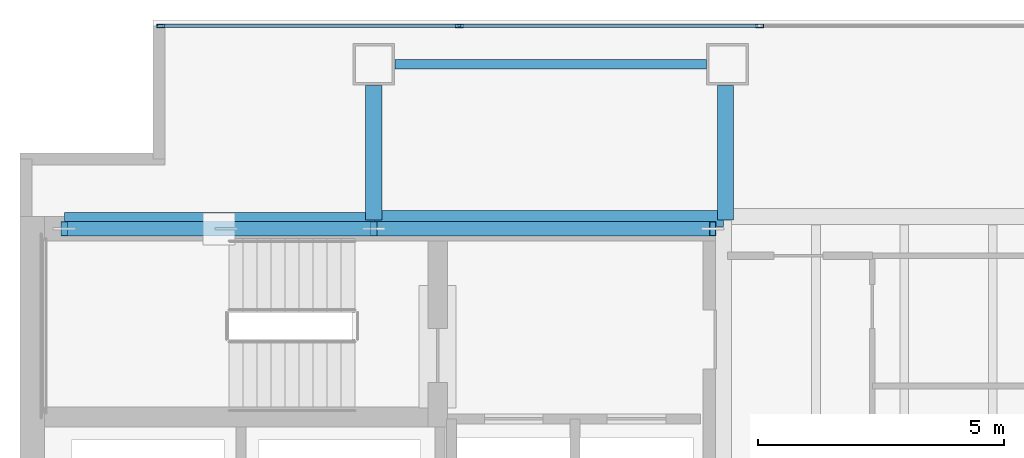
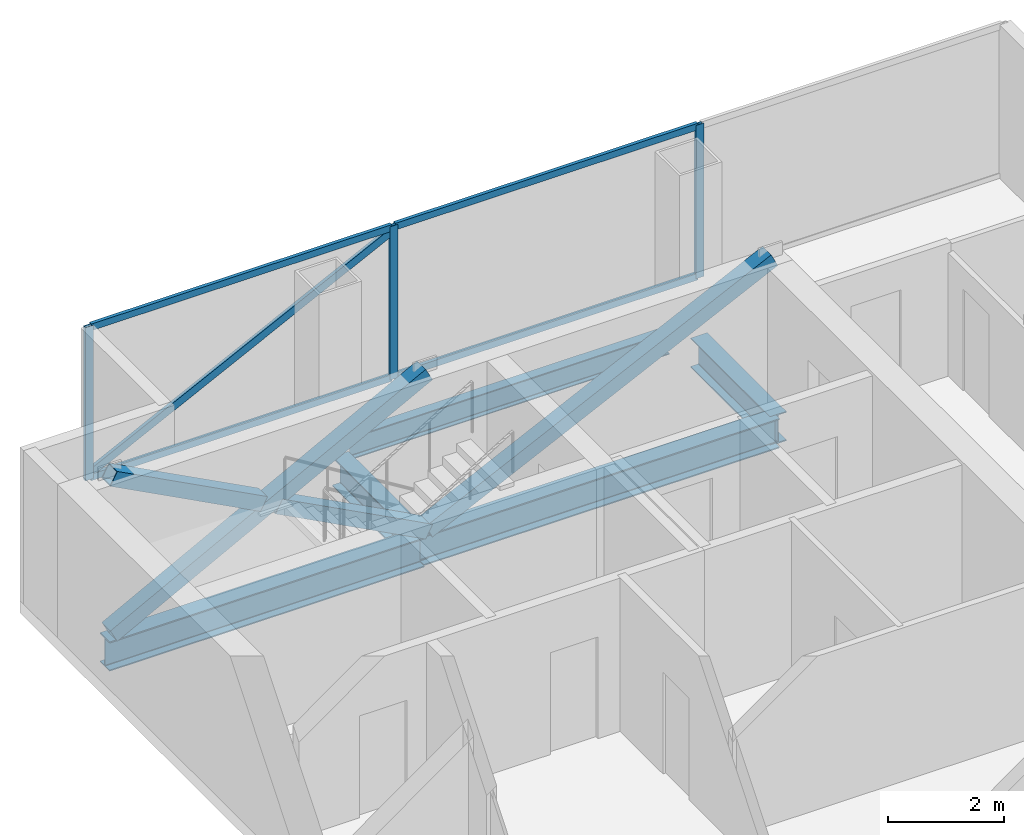
# One storey, part 17 of 23: 12 members, 5 beams, 1 element without a shape of its own.
"""IFC4 building model written with IfcOpenShell, lengths in metres."""

from ifc_helpers import new_model, si_unit, direction, frame, origin, origin_2d, place, context, subcontext, project, spatial, hollow_rectangle, i_section, extrude, material, material_profile, profile_set, type_object, element, aggregate, save


model = new_model("IFC4")

# Units and contexts
model_context = context("Model", 3, precision=1e-05, world=origin(), true_north=direction((0.0, 1.0)))
body_context = subcontext(model_context, "Body", "Model", "MODEL_VIEW")
ifc_project = project(units=[si_unit("LENGTHUNIT", "METRE"), si_unit("AREAUNIT", "SQUARE_METRE"), si_unit("VOLUMEUNIT", "CUBIC_METRE"), si_unit("PLANEANGLEUNIT", "RADIAN"), si_unit("MASSUNIT", "GRAM", prefix="KILO")], contexts=[model_context])

# Site, building, storey
site_placement = place(None, origin())
site = spatial("IfcSite", under=ifc_project, at=site_placement, CompositionType="ELEMENT")
building_placement = place(site_placement, origin())
building = spatial("IfcBuilding", under=site, at=building_placement, Name="Cobrela Telecom Tower", CompositionType="ELEMENT")
storey_placement = place(building_placement, frame((0.0, 0.0, 173.25)))
storey = spatial("IfcBuildingStorey", under=building, at=storey_placement, Name="L43", CompositionType="ELEMENT", Elevation=173.25)

# Beams
ifc_material_1 = material(Name="Steel ASTM A992 Grade 50", Category="steel")
ifc_material_profile_1 = material_profile(ifc_material_1, i_section(OverallWidth=0.327880859375, OverallDepth=0.6220703125, WebThickness=0.015380859375, FlangeThickness=0.0244140625, FilletRadius=0.014892578125, at=origin_2d()), Name="W24X131")
ifc_profile_set_1 = profile_set([ifc_material_profile_1], Name="Steel ASTM A992 Grade 50")
beam_type_1 = type_object("IfcBeamType", Name="BM-GIRD-06", PredefinedType="USERDEFINED", material=ifc_profile_set_1)
beam_1_placement = place(storey_placement, frame((0.905029296875, 35.919921875, -0.571044921875), z_axis=(1.0, 0.0, 0.0), x_axis=(0.0, 1.0, 0.0)))
element("IfcBeam", 1, at=beam_1_placement, inside=storey, type_object=beam_type_1, Name="L43 Primary Girder X20", ObjectType="GIRDER", PredefinedType="USERDEFINED", context=body_context, shape_type="SweptSolid", body=[
    extrude(i_section(OverallWidth=0.327880859375, OverallDepth=0.6220703125, WebThickness=0.015380859375, FlangeThickness=0.0244140625, FilletRadius=0.014892578125, at=origin_2d()), origin(), (0.0, 0.0, 1.0), 6.2900390625),
])
beam_2_placement = place(storey_placement, frame((7.205078125, 35.9599609375, -0.571044921875), z_axis=(1.0, 0.0, 0.0), x_axis=(0.0, 1.0, 0.0)))
element("IfcBeam", 2, at=beam_2_placement, inside=storey, type_object=beam_type_1, Name="L43 Primary Girder X21", ObjectType="GIRDER", PredefinedType="USERDEFINED", context=body_context, shape_type="SweptSolid", body=[
    extrude(i_section(OverallWidth=0.327880859375, OverallDepth=0.6220703125, WebThickness=0.015380859375, FlangeThickness=0.0244140625, FilletRadius=0.014892578125, at=origin_2d()), origin(), (0.0, 0.0, 1.0), 7.10986328125),
])
for number, where, z_axis, x_axis, name in (
    (3, (7.199951171875, 35.925048828125, -0.571044921875), (0.0, 1.0, 0.0), (-1.0, 0.0, 0.0), "L43 Primary Girder Y25"),
    (4, (14.360107421875, 35.925048828125, -0.571044921875), (0.0, 1.0, 0.0), (-1.0, 0.0, 0.0), "L43 Primary Girder Y31"),
):
    element("IfcBeam", number, at=place(storey_placement, frame(where, z_axis=z_axis, x_axis=x_axis)), inside=storey, type_object=beam_type_1, Name=name, ObjectType="GIRDER", PredefinedType="USERDEFINED", context=body_context, shape_type="SweptSolid", body=[
        extrude(i_section(OverallWidth=0.327880859375, OverallDepth=0.6220703125, WebThickness=0.015380859375, FlangeThickness=0.0244140625, FilletRadius=0.014892578125, at=origin_2d()), origin(), (0.0, 0.0, 1.0), 2.744873046875),
    ])
ifc_material_profile_2 = material_profile(ifc_material_1, i_section(OverallWidth=0.193115234375, OverallDepth=0.467041015625, WebThickness=0.011474609375, FlangeThickness=0.01904296875, FilletRadius=0.012939453125, at=origin_2d()), Name="W18X65")
ifc_profile_set_2 = profile_set([ifc_material_profile_2], Name="Steel ASTM A992 Grade 50")
beam_type_2 = type_object("IfcBeamType", Name="BM-SPAND-05", PredefinedType="SPANDREL", material=ifc_profile_set_2)
beam_3_placement = place(storey_placement, frame((7.6298828125, 39.10009765625, -0.493408203125), z_axis=(1.0, 0.0, 0.0), x_axis=(0.0, 1.0, 0.0)))
element("IfcBeam", 5, at=beam_3_placement, inside=storey, type_object=beam_type_2, Name="L43 Perimeter Spandrel X23", PredefinedType="SPANDREL", context=body_context, shape_type="SweptSolid", body=[
    extrude(i_section(OverallWidth=0.193115234375, OverallDepth=0.467041015625, WebThickness=0.011474609375, FlangeThickness=0.01904296875, FilletRadius=0.012939453125, at=origin_2d()), origin(), (0.0, 0.0, 1.0), 6.340087890625),
])

# Curtain wall, members
ifc_material_2 = material(Name="Anodized Bronze Aluminium 6063-T6", Category="aluminium")
curtain_wall_type = type_object("IfcCurtainWallType", Name="CW-SYS-OFF-LO", PredefinedType="USERDEFINED", material=ifc_material_2)
curtain_wall_placement = place(storey_placement, origin())
curtain_wall = element("IfcCurtainWall", 6, at=curtain_wall_placement, inside=storey, type_object=curtain_wall_type, Name="L43 Unitised Bronze Curtain Wall 07", ObjectType="UNITISED CURTAIN WALL", PredefinedType="USERDEFINED")
ifc_material_profile_3 = material_profile(ifc_material_2, hollow_rectangle(XDim=0.070068359375, YDim=0.159912109375, WallThickness=0.00390625, at=origin_2d()), Name="ALU 70x160x4")
ifc_profile_set_3 = profile_set([ifc_material_profile_3], Name="Anodized Bronze Aluminium 6063-T6")
member_type_1 = type_object("IfcMemberType", Name="CW-SYS-OFF-LO-MUL", PredefinedType="MULLION", material=ifc_profile_set_3)
member_1_placement = place(storey_placement, frame((2.864990234375, 39.8798828125, 0.0), z_axis=(0.0, 0.0, 1.0), x_axis=(0.0, 1.0, 0.0)))
member_1 = element("IfcMember", 7, at=member_1_placement, type_object=member_type_1, Name="CW-OFF-LO mullion 1", PredefinedType="MULLION", context=body_context, shape_type="SweptSolid", body=[
    extrude(hollow_rectangle(XDim=0.070068359375, YDim=0.159912109375, WallThickness=0.00390625, at=origin_2d()), origin(), (0.0, 0.0, 1.0), 3.239990234375),
])
member_2_placement = place(storey_placement, frame((8.943359375, 39.8798828125, 0.0), z_axis=(0.0, 0.0, 1.0), x_axis=(0.0, 1.0, 0.0)))
member_2 = element("IfcMember", 8, at=member_2_placement, type_object=member_type_1, Name="CW-OFF-LO mullion 2", PredefinedType="MULLION", context=body_context, shape_type="SweptSolid", body=[
    extrude(hollow_rectangle(XDim=0.070068359375, YDim=0.159912109375, WallThickness=0.00390625, at=origin_2d()), origin(), (0.0, 0.0, 1.0), 3.239990234375),
])
member_3_placement = place(storey_placement, frame((15.056640625, 39.8798828125, 0.0), z_axis=(0.0, 0.0, 1.0), x_axis=(0.0, 1.0, 0.0)))
member_3 = element("IfcMember", 9, at=member_3_placement, type_object=member_type_1, Name="CW-OFF-LO mullion 3", PredefinedType="MULLION", context=body_context, shape_type="SweptSolid", body=[
    extrude(hollow_rectangle(XDim=0.070068359375, YDim=0.159912109375, WallThickness=0.00390625, at=origin_2d()), origin(), (0.0, 0.0, 1.0), 3.239990234375),
])
member_4_placement = place(storey_placement, frame((2.830078125, 39.8798828125, 0.10009765625), z_axis=(0.895411968569, 0.0, 0.445238595074), x_axis=(0.0, 1.0, 0.0)))
member_4 = element("IfcMember", 10, at=member_4_placement, type_object=member_type_1, Name="L43 Faceted Curtain Wall Diagonal Glazing Mullion", PredefinedType="MULLION", context=body_context, shape_type="SweptSolid", body=[
    extrude(hollow_rectangle(XDim=0.070068359375, YDim=0.159912109375, WallThickness=0.00390625, at=origin_2d()), origin(), (0.0, 0.0, 1.0), 6.827392578125),
])
ifc_material_profile_4 = material_profile(ifc_material_2, hollow_rectangle(XDim=0.070068359375, YDim=0.139892578125, WallThickness=0.00390625, at=origin_2d()), Name="ALU 70x140x4")
ifc_profile_set_4 = profile_set([ifc_material_profile_4], Name="Anodized Bronze Aluminium 6063-T6")
member_type_2 = type_object("IfcMemberType", Name="CW-SYS-OFF-LO-TRN", PredefinedType="USERDEFINED", material=ifc_profile_set_4)
member_5_placement = place(storey_placement, frame((2.89990234375, 39.8798828125, 0.034912109375), z_axis=(1.0, 0.0, 0.0), x_axis=(0.0, 1.0, 0.0)))
member_5 = element("IfcMember", 11, at=member_5_placement, type_object=member_type_2, Name="CW-OFF-LO transom 1.1", ObjectType="TRANSOM", PredefinedType="USERDEFINED", context=body_context, shape_type="SweptSolid", body=[
    extrude(hollow_rectangle(XDim=0.070068359375, YDim=0.139892578125, WallThickness=0.00390625, at=origin_2d()), origin(), (0.0, 0.0, 1.0), 6.008544921875),
])
member_6_placement = place(storey_placement, frame((2.89990234375, 39.8798828125, 3.205078125), z_axis=(1.0, 0.0, 0.0), x_axis=(0.0, 1.0, 0.0)))
member_6 = element("IfcMember", 12, at=member_6_placement, type_object=member_type_2, Name="CW-OFF-LO transom 1.2", ObjectType="TRANSOM", PredefinedType="USERDEFINED", context=body_context, shape_type="SweptSolid", body=[
    extrude(hollow_rectangle(XDim=0.070068359375, YDim=0.139892578125, WallThickness=0.00390625, at=origin_2d()), origin(), (0.0, 0.0, 1.0), 6.008544921875),
])
member_7_placement = place(storey_placement, frame((8.978271484375, 39.8798828125, 0.034912109375), z_axis=(1.0, 0.0, 0.0), x_axis=(0.0, 1.0, 0.0)))
member_7 = element("IfcMember", 13, at=member_7_placement, type_object=member_type_2, Name="CW-OFF-LO transom 2.1", ObjectType="TRANSOM", PredefinedType="USERDEFINED", context=body_context, shape_type="SweptSolid", body=[
    extrude(hollow_rectangle(XDim=0.070068359375, YDim=0.139892578125, WallThickness=0.00390625, at=origin_2d()), origin(), (0.0, 0.0, 1.0), 6.04345703125),
])
member_8_placement = place(storey_placement, frame((8.978271484375, 39.8798828125, 3.205078125), z_axis=(1.0, 0.0, 0.0), x_axis=(0.0, 1.0, 0.0)))
member_8 = element("IfcMember", 14, at=member_8_placement, type_object=member_type_2, Name="CW-OFF-LO transom 2.2", ObjectType="TRANSOM", PredefinedType="USERDEFINED", context=body_context, shape_type="SweptSolid", body=[
    extrude(hollow_rectangle(XDim=0.070068359375, YDim=0.139892578125, WallThickness=0.00390625, at=origin_2d()), origin(), (0.0, 0.0, 1.0), 6.04345703125),
])
aggregate(curtain_wall, [member_1, member_2, member_3, member_5, member_6, member_7, member_8, member_4])

# Members
ifc_material_3 = material(Name="Steel ASTM A572 Grade 50", Category="steel")
ifc_material_profile_5 = material_profile(ifc_material_3, hollow_rectangle(XDim=0.300048828125, YDim=0.300048828125, WallThickness=0.01611328125, at=origin_2d()), Name="HSS 300x300x16")
ifc_profile_set_5 = profile_set([ifc_material_profile_5], Name="Steel ASTM A572 Grade 50")
member_type_3 = type_object("IfcMemberType", Name="MBR-EXO-03", PredefinedType="BRACE", material=ifc_profile_set_5)
member_9_placement = place(storey_placement, frame((0.89990234375, 35.75, -0.0400390625), z_axis=(0.884671945606, 0.0, 0.466214058837), x_axis=(0.0, 1.0, 0.0)))
element("IfcMember", 15, at=member_9_placement, inside=storey, type_object=member_type_3, Name="L43 Core Flange Steel X-Brace Continuous A", PredefinedType="BRACE", context=body_context, shape_type="SweptSolid", body=[
    extrude(hollow_rectangle(XDim=0.300048828125, YDim=0.300048828125, WallThickness=0.01611328125, at=origin_2d()), origin(), (0.0, 0.0, 1.0), 7.121337890625),
])
for number, where, z_axis, x_axis, name in (
    (16, (7.199951171875, 35.75, -0.0400390625), (-0.884666782579, 0.0, 0.466223855891), (0.0, -1.0, 0.0), "L43 Core Flange Steel X-Brace Split B1"),
    (17, (3.9013671875, 35.75, 1.6982421875), (-0.884666782579, 0.0, 0.466223855891), (0.0, -1.0, 0.0), "L43 Core Flange Steel X-Brace Split B2"),
):
    element("IfcMember", number, at=place(storey_placement, frame(where, z_axis=z_axis, x_axis=x_axis)), inside=storey, type_object=member_type_3, Name=name, PredefinedType="BRACE", context=body_context, shape_type="SweptSolid", body=[
        extrude(hollow_rectangle(XDim=0.300048828125, YDim=0.300048828125, WallThickness=0.01611328125, at=origin_2d()), origin(), (0.0, 0.0, 1.0), 3.392822265625),
    ])
member_10_placement = place(storey_placement, frame((7.199951171875, 35.75, -0.0400390625), z_axis=(0.901115182893, 0.0, 0.43357978177), x_axis=(0.0, 1.0, 0.0)))
element("IfcMember", 18, at=member_10_placement, inside=storey, type_object=member_type_3, Name="L43 Core Flange Steel Brace N2", PredefinedType="BRACE", context=body_context, shape_type="SweptSolid", body=[
    extrude(hollow_rectangle(XDim=0.300048828125, YDim=0.300048828125, WallThickness=0.01611328125, at=origin_2d()), origin(), (0.0, 0.0, 1.0), 7.6572265625),
])

save(model, "model.ifc")
